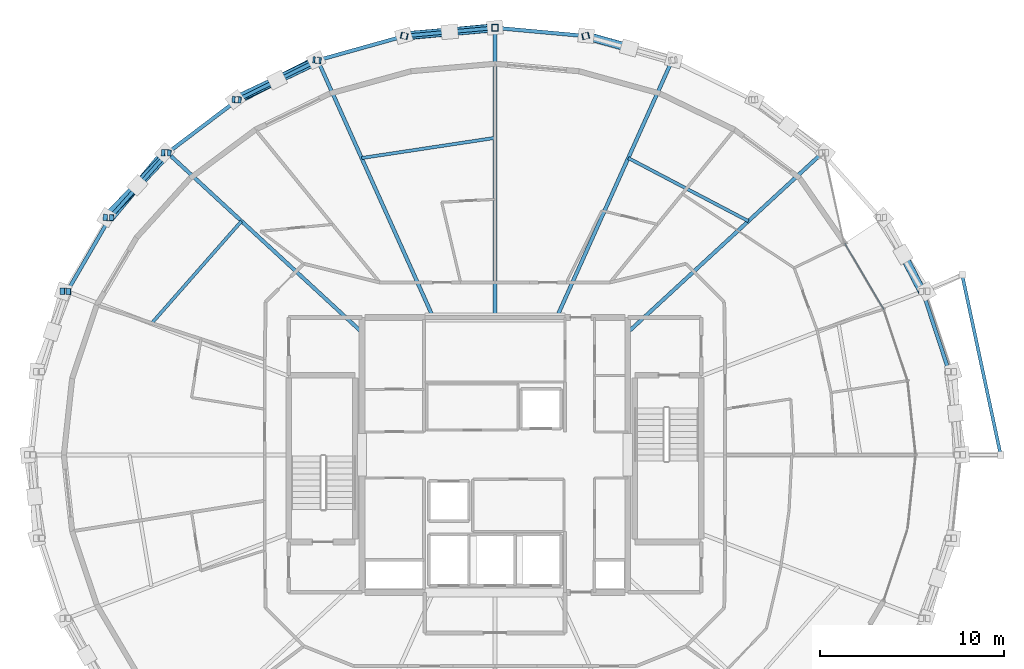
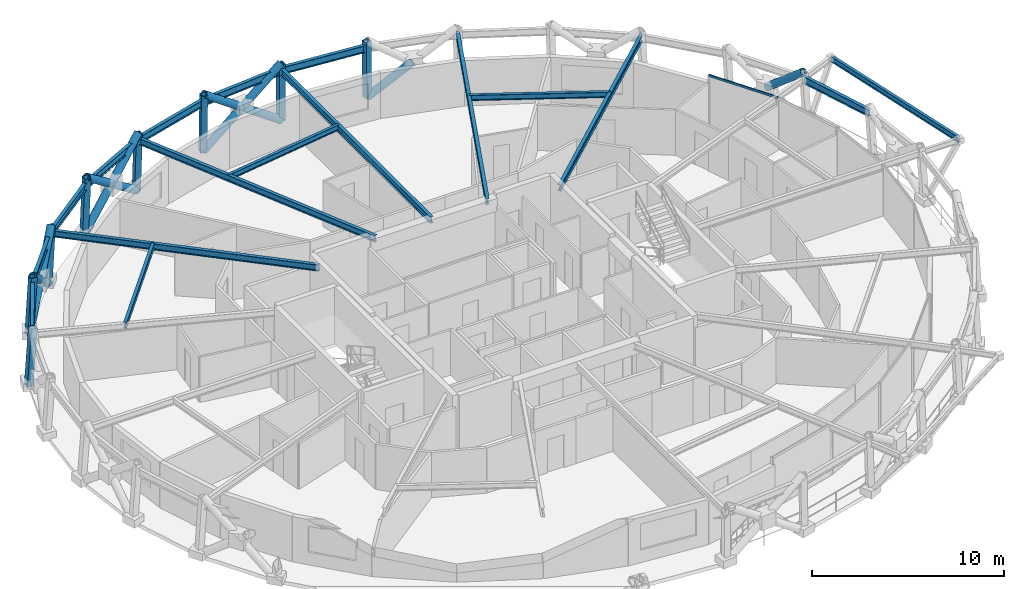
# One storey, part 10 of 18: 20 members, 17 beams, 1 element without a shape of its own.
"""IFC4 building model written with IfcOpenShell, lengths in metres."""

from ifc_helpers import new_model, si_unit, direction, frame, origin, origin_2d, place, context, subcontext, project, spatial, hollow_rectangle, hollow_circle, i_section, extrude, material, layer, layer_set, material_profile, profile_set, type_object, element, aggregate, save


model = new_model("IFC4")

# Units and contexts
model_context = context("Model", 3, precision=1e-05, world=origin(), true_north=direction((0.0, 1.0)))
body_context = subcontext(model_context, "Body", "Model", "MODEL_VIEW")
ifc_project = project(units=[si_unit("LENGTHUNIT", "METRE"), si_unit("AREAUNIT", "SQUARE_METRE"), si_unit("VOLUMEUNIT", "CUBIC_METRE"), si_unit("PLANEANGLEUNIT", "RADIAN"), si_unit("MASSUNIT", "GRAM", prefix="KILO")], contexts=[model_context])

# Site, building, storey
site_placement = place(None, origin())
site = spatial("IfcSite", under=ifc_project, at=site_placement, CompositionType="ELEMENT")
building_placement = place(site_placement, origin())
building = spatial("IfcBuilding", under=site, at=building_placement, Name="Veldorina Hangang Commons", CompositionType="ELEMENT")
storey_placement = place(building_placement, frame((0.0, 0.0, 218.39990234375)))
storey = spatial("IfcBuildingStorey", under=building, at=storey_placement, Name="L56", CompositionType="ELEMENT", Elevation=218.39990234375)

# Beams
ifc_material_1 = material(Name="Steel SM355-TMC", Category="steel")
ifc_material_profile_1 = material_profile(ifc_material_1, i_section(OverallWidth=0.175048828125, OverallDepth=0.35009765625, WebThickness=0.007080078125, FlangeThickness=0.010986328125, FilletRadius=0.012939453125, at=origin_2d()), Name="H-350x175x7x11")
ifc_profile_set_1 = profile_set([ifc_material_profile_1], Name="Steel SM355-TMC")
beam_type_1 = type_object("IfcBeamType", Name="BM-FG350", PredefinedType="BEAM", material=ifc_profile_set_1)
beam_1_placement = place(storey_placement, frame((59.41552734375, 24.0, 3.18505859375), z_axis=(-0.20909639902, 0.977895033179, 0.0), x_axis=(-0.977895033179, -0.20909639902, 0.0)))
element("IfcBeam", 1, at=beam_1_placement, inside=storey, type_object=beam_type_1, Name="L57 tree balcony 2 outer rim beam", PredefinedType="BEAM", context=body_context, shape_type="SweptSolid", body=[
    extrude(i_section(OverallWidth=0.175048828125, OverallDepth=0.35009765625, WebThickness=0.007080078125, FlangeThickness=0.010986328125, FilletRadius=0.012939453125, at=origin_2d()), origin(), (0.0, 0.0, 1.0), 9.980712890625),
])
ifc_material_profile_2 = material_profile(ifc_material_1, i_section(OverallWidth=0.199951171875, OverallDepth=0.39990234375, WebThickness=0.008056640625, FlangeThickness=0.012939453125, FilletRadius=0.012939453125, at=origin_2d()), Name="H-400x200x8x13")
ifc_profile_set_2 = profile_set([ifc_material_profile_2], Name="Steel SM355-TMC")
beam_type_2 = type_object("IfcBeamType", Name="BM-FG400", PredefinedType="BEAM", material=ifc_profile_set_2)
beam_2_placement = place(storey_placement, frame((39.199951171875, 30.642578125, 3.16015625), z_axis=(0.734994512793, 0.678073053707, 0.0), x_axis=(-0.678073053707, 0.734994512793, 0.0)))
element("IfcBeam", 2, at=beam_2_placement, inside=storey, type_object=beam_type_2, Name="L56 radial floor girder 03", PredefinedType="BEAM", context=body_context, shape_type="SweptSolid", body=[
    extrude(i_section(OverallWidth=0.199951171875, OverallDepth=0.39990234375, WebThickness=0.008056640625, FlangeThickness=0.012939453125, FilletRadius=0.012939453125, at=origin_2d()), origin(), (0.0, 0.0, 1.0), 14.351318359375),
])
beam_3_placement = place(storey_placement, frame((35.344970703125, 31.449951171875, 3.16015625), z_axis=(0.409588775046, 0.912270264426, 0.0), x_axis=(-0.912270264426, 0.409588775046, 0.0)))
element("IfcBeam", 3, at=beam_3_placement, inside=storey, type_object=beam_type_2, Name="L56 radial floor girder 04", PredefinedType="BEAM", context=body_context, shape_type="SweptSolid", body=[
    extrude(i_section(OverallWidth=0.199951171875, OverallDepth=0.39990234375, WebThickness=0.008056640625, FlangeThickness=0.012939453125, FilletRadius=0.012939453125, at=origin_2d()), origin(), (0.0, 0.0, 1.0), 15.2841796875),
])
beam_4_placement = place(storey_placement, frame((32.0, 31.449951171875, 3.16015625), z_axis=(0.0, 1.0, 0.0), x_axis=(-1.0, 0.0, 0.0)))
element("IfcBeam", 4, at=beam_4_placement, inside=storey, type_object=beam_type_2, Name="L56 radial floor girder 05", PredefinedType="BEAM", context=body_context, shape_type="SweptSolid", body=[
    extrude(i_section(OverallWidth=0.199951171875, OverallDepth=0.39990234375, WebThickness=0.008056640625, FlangeThickness=0.012939453125, FilletRadius=0.012939453125, at=origin_2d()), origin(), (0.0, 0.0, 1.0), 15.7060546875),
])
beam_5_placement = place(storey_placement, frame((28.655029296875, 31.449951171875, 3.16015625), z_axis=(-0.409588775046, 0.912270264426, 0.0), x_axis=(-0.912270264426, -0.409588775046, 0.0)))
element("IfcBeam", 5, at=beam_5_placement, inside=storey, type_object=beam_type_2, Name="L56 radial floor girder 06", PredefinedType="BEAM", context=body_context, shape_type="SweptSolid", body=[
    extrude(i_section(OverallWidth=0.199951171875, OverallDepth=0.39990234375, WebThickness=0.008056640625, FlangeThickness=0.012939453125, FilletRadius=0.012939453125, at=origin_2d()), origin(), (0.0, 0.0, 1.0), 15.2841796875),
])
beam_6_placement = place(storey_placement, frame((24.800048828125, 30.642578125, 3.16015625), z_axis=(-0.734994512793, 0.678073053707, 0.0), x_axis=(-0.678073053707, -0.734994512793, 0.0)))
element("IfcBeam", 6, at=beam_6_placement, inside=storey, type_object=beam_type_2, Name="L56 radial floor girder 07", PredefinedType="BEAM", context=body_context, shape_type="SweptSolid", body=[
    extrude(i_section(OverallWidth=0.199951171875, OverallDepth=0.39990234375, WebThickness=0.008056640625, FlangeThickness=0.012939453125, FilletRadius=0.012939453125, at=origin_2d()), origin(), (0.0, 0.0, 1.0), 14.351318359375),
])
ifc_material_profile_3 = material_profile(ifc_material_1, i_section(OverallWidth=0.175048828125, OverallDepth=0.35009765625, WebThickness=0.007080078125, FlangeThickness=0.010986328125, FilletRadius=0.012939453125, at=origin_2d()), Name="H-350x175x7x11")
ifc_profile_set_3 = profile_set([ifc_material_profile_3], Name="Steel SM355-TMC")
beam_type_3 = type_object("IfcBeamType", Name="BM-JST350", PredefinedType="JOIST", material=ifc_profile_set_3)
beam_7_placement = place(storey_placement, frame((45.73974609375, 36.67578125, 3.18505859375), z_axis=(-0.885418048855, 0.464795523603, 0.0), x_axis=(-0.464795523603, -0.885418048855, 0.0)))
element("IfcBeam", 7, at=beam_7_placement, inside=storey, type_object=beam_type_3, Name="L56 secondary floor joist 03", PredefinedType="JOIST", context=body_context, shape_type="SweptSolid", body=[
    extrude(i_section(OverallWidth=0.175048828125, OverallDepth=0.35009765625, WebThickness=0.007080078125, FlangeThickness=0.010986328125, FilletRadius=0.012939453125, at=origin_2d()), origin(), (0.0, 0.0, 1.0), 7.3564453125),
])
beam_8_placement = place(storey_placement, frame((32.0, 41.187744140625, 3.18505859375), z_axis=(-0.988758494283, -0.149521369655, 0.0), x_axis=(0.149521369655, -0.988758494283, 0.0)))
element("IfcBeam", 8, at=beam_8_placement, inside=storey, type_object=beam_type_3, Name="L56 secondary floor joist 05", PredefinedType="JOIST", context=body_context, shape_type="SweptSolid", body=[
    extrude(i_section(OverallWidth=0.175048828125, OverallDepth=0.35009765625, WebThickness=0.007080078125, FlangeThickness=0.010986328125, FilletRadius=0.012939453125, at=origin_2d()), origin(), (0.0, 0.0, 1.0), 7.30859375),
])
beam_9_placement = place(storey_placement, frame((18.26025390625, 36.67578125, 3.18505859375), z_axis=(-0.66020090792, -0.751089050101, 0.0), x_axis=(0.751089050101, -0.66020090792, 0.0)))
element("IfcBeam", 9, at=beam_9_placement, inside=storey, type_object=beam_type_3, Name="L56 secondary floor joist 07", PredefinedType="JOIST", context=body_context, shape_type="SweptSolid", body=[
    extrude(i_section(OverallWidth=0.175048828125, OverallDepth=0.35009765625, WebThickness=0.007080078125, FlangeThickness=0.010986328125, FilletRadius=0.012939453125, at=origin_2d()), origin(), (0.0, 0.0, 1.0), 7.400390625),
])
ifc_material_profile_4 = material_profile(ifc_material_1, i_section(OverallWidth=0.199951171875, OverallDepth=0.449951171875, WebThickness=0.009033203125, FlangeThickness=0.013916015625, FilletRadius=0.01611328125, at=origin_2d()), Name="H-450x200x9x14")
ifc_profile_set_4 = profile_set([ifc_material_profile_4], Name="Steel SM355-TMC")
beam_type_4 = type_object("IfcBeamType", Name="BM-RB450", PredefinedType="BEAM", material=ifc_profile_set_4)
beam_10_placement = place(storey_placement, frame((56.6171875, 28.517578125, 3.135009765625), z_axis=(-0.312348797553, 0.949967488216, 0.0), x_axis=(-0.949967488216, -0.312348797553, 0.0)))
element("IfcBeam", 10, at=beam_10_placement, inside=storey, type_object=beam_type_4, Name="L56 perimeter hoop ring beam 01", PredefinedType="BEAM", context=body_context, shape_type="SweptSolid", body=[
    extrude(i_section(OverallWidth=0.199951171875, OverallDepth=0.449951171875, WebThickness=0.009033203125, FlangeThickness=0.013916015625, FilletRadius=0.01611328125, at=origin_2d()), origin(), (0.0, 0.0, 1.0), 4.572509765625),
])
for number, where, z_axis, x_axis, name in (
    (11, (36.896484375, 46.711181640625, 3.135009765625), (-0.995898902714, 0.090473065454, 0.0), (-0.090473065454, -0.995898902714, 0.0), "L56 perimeter hoop ring beam 07"),
    (12, (32.0, 47.156005859375, 3.135009765625), (-0.995898902714, -0.090473065454, 0.0), (0.090473065454, -0.995898902714, 0.0), "L56 perimeter hoop ring beam 08"),
):
    element("IfcBeam", number, at=place(storey_placement, frame(where, z_axis=z_axis, x_axis=x_axis)), inside=storey, type_object=beam_type_4, Name=name, PredefinedType="BEAM", context=body_context, shape_type="SweptSolid", body=[
        extrude(i_section(OverallWidth=0.199951171875, OverallDepth=0.449951171875, WebThickness=0.009033203125, FlangeThickness=0.013916015625, FilletRadius=0.01611328125, at=origin_2d()), origin(), (0.0, 0.0, 1.0), 4.916748046875),
    ])
beam_11_placement = place(storey_placement, frame((27.103515625, 46.711181640625, 3.135009765625), z_axis=(-0.962994608435, -0.269520656211, 0.0), x_axis=(0.269520656211, -0.962994608435, 0.0)))
element("IfcBeam", 13, at=beam_11_placement, inside=storey, type_object=beam_type_4, Name="L56 perimeter hoop ring beam 09", PredefinedType="BEAM", context=body_context, shape_type="SweptSolid", body=[
    extrude(i_section(OverallWidth=0.199951171875, OverallDepth=0.449951171875, WebThickness=0.009033203125, FlangeThickness=0.013916015625, FilletRadius=0.01611328125, at=origin_2d()), origin(), (0.0, 0.0, 1.0), 4.8896484375),
])
beam_12_placement = place(storey_placement, frame((22.394775390625, 45.393310546875, 3.135009765625), z_axis=(-0.896896095875, -0.442241329146, 0.0), x_axis=(0.442241329146, -0.896896095875, 0.0)))
element("IfcBeam", 14, at=beam_12_placement, inside=storey, type_object=beam_type_4, Name="L56 perimeter hoop ring beam 10", PredefinedType="BEAM", context=body_context, shape_type="SweptSolid", body=[
    extrude(i_section(OverallWidth=0.199951171875, OverallDepth=0.449951171875, WebThickness=0.009033203125, FlangeThickness=0.013916015625, FilletRadius=0.01611328125, at=origin_2d()), origin(), (0.0, 0.0, 1.0), 4.838134765625),
])
beam_13_placement = place(storey_placement, frame((18.055419921875, 43.253662109375, 3.135009765625), z_axis=(-0.79724663066, -0.603653716879, 0.0), x_axis=(0.603653716879, -0.79724663066, 0.0)))
element("IfcBeam", 15, at=beam_13_placement, inside=storey, type_object=beam_type_4, Name="L56 perimeter hoop ring beam 11", PredefinedType="BEAM", context=body_context, shape_type="SweptSolid", body=[
    extrude(i_section(OverallWidth=0.199951171875, OverallDepth=0.449951171875, WebThickness=0.009033203125, FlangeThickness=0.013916015625, FilletRadius=0.01611328125, at=origin_2d()), origin(), (0.0, 0.0, 1.0), 4.770751953125),
])
beam_14_placement = place(storey_placement, frame((14.251953125, 40.373779296875, 3.135009765625), z_axis=(-0.664650971926, -0.747153990498, 0.0), x_axis=(0.747153990498, -0.664650971926, 0.0)))
element("IfcBeam", 16, at=beam_14_placement, inside=storey, type_object=beam_type_4, Name="L56 perimeter hoop ring beam 12", PredefinedType="BEAM", context=body_context, shape_type="SweptSolid", body=[
    extrude(i_section(OverallWidth=0.199951171875, OverallDepth=0.449951171875, WebThickness=0.009033203125, FlangeThickness=0.013916015625, FilletRadius=0.01611328125, at=origin_2d()), origin(), (0.0, 0.0, 1.0), 4.6962890625),
])
beam_15_placement = place(storey_placement, frame((11.130615234375, 36.864990234375, 3.135009765625), z_axis=(-0.501306631992, -0.865269704035, 0.0), x_axis=(0.865269704035, -0.501306631992, 0.0)))
element("IfcBeam", 17, at=beam_15_placement, inside=storey, type_object=beam_type_4, Name="L56 perimeter hoop ring beam 13", PredefinedType="BEAM", context=body_context, shape_type="SweptSolid", body=[
    extrude(i_section(OverallWidth=0.199951171875, OverallDepth=0.449951171875, WebThickness=0.009033203125, FlangeThickness=0.013916015625, FilletRadius=0.01611328125, at=origin_2d()), origin(), (0.0, 0.0, 1.0), 4.626953125),
])

# Curtain wall, member
ifc_material_2 = material(Name="Glass Low-E Selective", Category="glass")
ifc_layer = layer(ifc_material_2, 0.179931640625)
ifc_layer_set = layer_set([ifc_layer], Name="Glass Low-E Selective")
curtain_wall_type = type_object("IfcCurtainWallType", Name="CW-SYS-Z3", PredefinedType="NOTDEFINED", material=ifc_layer_set)
curtain_wall_placement = place(storey_placement, origin())
curtain_wall = element("IfcCurtainWall", 18, at=curtain_wall_placement, inside=storey, type_object=curtain_wall_type, Name="L56 unitised curtain wall CW-L56-R2", PredefinedType="NOTDEFINED")
ifc_material_3 = material(Name="Aluminium Anodized AA6063-T6", Category="aluminium")
ifc_material_profile_5 = material_profile(ifc_material_3, hollow_rectangle(XDim=0.06005859375, YDim=0.139892578125, WallThickness=0.00341796875, at=origin_2d()), Name="ALU-RHS-140x60x3.5")
ifc_profile_set_5 = profile_set([ifc_material_profile_5], Name="Aluminium Anodized AA6063-T6")
member_type_1 = type_object("IfcMemberType", Name="CW-TRN-140", PredefinedType="USERDEFINED", material=ifc_profile_set_5)
member_1_placement = place(storey_placement, frame((53.072509765625, 31.901123046875, 3.280029296875), z_axis=(-0.508481273456, 0.861073048321, 0.0), x_axis=(-0.861073048321, -0.508481273456, 0.0)))
member_1 = element("IfcMember", 19, at=member_1_placement, type_object=member_type_1, Name="CW-L56-R2 facet 5 transom 1", ObjectType="TRANSOM", PredefinedType="USERDEFINED", context=body_context, shape_type="SweptSolid", body=[
    extrude(hollow_rectangle(XDim=0.06005859375, YDim=0.139892578125, WallThickness=0.00341796875, at=origin_2d()), origin(), (0.0, 0.0, 1.0), 4.1455078125),
])
aggregate(curtain_wall, [member_1])

# Members
ifc_material_profile_6 = material_profile(ifc_material_1, hollow_circle(Radius=0.22509765625, WallThickness=0.02197265625, at=origin_2d()), Name="CHS-450x22")
ifc_profile_set_6 = profile_set([ifc_material_profile_6], Name="Steel SM355-TMC")
member_type_2 = type_object("IfcMemberType", Name="DG-CHS450", PredefinedType="BRACE", material=ifc_profile_set_6)
member_2_placement = place(storey_placement, frame((54.118896484375, 34.867919921875, 1.802734375), z_axis=(0.359682287222, -0.695098280032, 0.62246849989), x_axis=(0.888140102066, 0.459572800655, 0.0)))
element("IfcMember", 20, at=member_2_placement, inside=storey, type_object=member_type_2, Name="L56 split perimeter diagrid upper brace 03", PredefinedType="BRACE", context=body_context, shape_type="SweptSolid", body=[
    extrude(hollow_circle(Radius=0.22509765625, WallThickness=0.02197265625, at=origin_2d()), origin(), (0.0, 0.0, 1.0), 2.887451171875),
])
member_3_placement = place(storey_placement, frame((36.94140625, 46.7216796875, 0.0), z_axis=(0.77185154551, -0.218548902842, 0.597060774763), x_axis=(0.272438283591, 0.962173259675, 0.0)))
element("IfcMember", 21, at=member_3_placement, inside=storey, type_object=member_type_2, Name="L56 split perimeter diagrid lower brace 07", PredefinedType="BRACE", context=body_context, shape_type="SweptSolid", body=[
    extrude(hollow_circle(Radius=0.22509765625, WallThickness=0.02197265625, at=origin_2d()), origin(), (0.0, 0.0, 1.0), 3.029541015625),
])
member_4_placement = place(storey_placement, frame((32.0, 47.166748046875, 0.0), z_axis=(-0.803018897645, -0.075053740895, 0.591208580792), x_axis=(0.093058897287, -0.995660605646, 0.0)))
element("IfcMember", 22, at=member_4_placement, inside=storey, type_object=member_type_2, Name="L56 continuous perimeter diagrid brace 08", PredefinedType="BRACE", context=body_context, shape_type="SweptSolid", body=[
    extrude(hollow_circle(Radius=0.22509765625, WallThickness=0.02197265625, at=origin_2d()), origin(), (0.0, 0.0, 1.0), 6.08935546875),
])
member_5_placement = place(storey_placement, frame((27.05859375, 46.7216796875, 0.0), z_axis=(0.806287816389, 0.069905225013, 0.587378256882), x_axis=(-0.086376055942, 0.996262604417, 0.0)))
element("IfcMember", 23, at=member_5_placement, inside=storey, type_object=member_type_2, Name="L56 split perimeter diagrid lower brace 09", PredefinedType="BRACE", context=body_context, shape_type="SweptSolid", body=[
    extrude(hollow_circle(Radius=0.22509765625, WallThickness=0.02197265625, at=origin_2d()), origin(), (0.0, 0.0, 1.0), 3.080322265625),
])
member_6_placement = place(storey_placement, frame((29.542236328125, 46.93701171875, 1.809326171875), z_axis=(0.806158569902, 0.071350679029, 0.58738185261), x_axis=(-0.088162367195, 0.996106117344, 0.0)))
element("IfcMember", 24, at=member_6_placement, inside=storey, type_object=member_type_2, Name="L56 split perimeter diagrid upper brace 09", PredefinedType="BRACE", context=body_context, shape_type="SweptSolid", body=[
    extrude(hollow_circle(Radius=0.22509765625, WallThickness=0.02197265625, at=origin_2d()), origin(), (0.0, 0.0, 1.0), 3.048828125),
])
member_7_placement = place(storey_placement, frame((22.30712890625, 45.4033203125, 0.0), z_axis=(-0.710359915413, -0.361018700739, 0.604197226319), x_axis=(0.453065926565, -0.891477013829, 0.0)))
element("IfcMember", 25, at=member_7_placement, inside=storey, type_object=member_type_2, Name="L56 continuous perimeter diagrid brace 10", PredefinedType="BRACE", context=body_context, shape_type="SweptSolid", body=[
    extrude(hollow_circle(Radius=0.22509765625, WallThickness=0.02197265625, at=origin_2d()), origin(), (0.0, 0.0, 1.0), 5.95849609375),
])
member_8_placement = place(storey_placement, frame((17.927978515625, 43.262451171875, 0.0), z_axis=(0.732239993835, 0.344662850527, 0.587394340196), x_axis=(-0.425877279627, 0.904780936303, 0.0)))
element("IfcMember", 26, at=member_8_placement, inside=storey, type_object=member_type_2, Name="L56 split perimeter diagrid lower brace 11", PredefinedType="BRACE", context=body_context, shape_type="SweptSolid", body=[
    extrude(hollow_circle(Radius=0.22509765625, WallThickness=0.02197265625, at=origin_2d()), origin(), (0.0, 0.0, 1.0), 3.077880859375),
])
member_9_placement = place(storey_placement, frame((20.181640625, 44.3232421875, 1.807861328125), z_axis=(0.729568207488, 0.350301558717, 0.58738322123), x_axis=(-0.432840345381, 0.901470595977, 0.0)))
element("IfcMember", 27, at=member_9_placement, inside=storey, type_object=member_type_2, Name="L56 split perimeter diagrid upper brace 11", PredefinedType="BRACE", context=body_context, shape_type="SweptSolid", body=[
    extrude(hollow_circle(Radius=0.22509765625, WallThickness=0.02197265625, at=origin_2d()), origin(), (0.0, 0.0, 1.0), 3.05126953125),
])
member_10_placement = place(storey_placement, frame((14.08984375, 40.38134765625, 0.0), z_axis=(-0.503251284712, -0.603893158325, 0.618102902246), x_axis=(0.768216908885, -0.640189644483, 0.0)))
element("IfcMember", 28, at=member_10_placement, inside=storey, type_object=member_type_2, Name="L56 continuous perimeter diagrid brace 12", PredefinedType="BRACE", context=body_context, shape_type="SweptSolid", body=[
    extrude(hollow_circle(Radius=0.22509765625, WallThickness=0.02197265625, at=origin_2d()), origin(), (0.0, 0.0, 1.0), 5.824462890625),
])
member_11_placement = place(storey_placement, frame((10.93994140625, 36.87060546875, 0.0), z_axis=(0.556052320803, 0.578265334781, 0.597005041118), x_axis=(-0.720815651535, 0.693126825698, 0.0)))
element("IfcMember", 29, at=member_11_placement, inside=storey, type_object=member_type_2, Name="L56 split perimeter diagrid lower brace 13", PredefinedType="BRACE", context=body_context, shape_type="SweptSolid", body=[
    extrude(hollow_circle(Radius=0.22509765625, WallThickness=0.02197265625, at=origin_2d()), origin(), (0.0, 0.0, 1.0), 3.0224609375),
])
member_12_placement = place(storey_placement, frame((12.62060546875, 38.618408203125, 1.804443359375), z_axis=(0.550468635904, 0.583431802006, 0.597152922872), x_axis=(-0.727355520509, 0.686260844566, 0.0)))
element("IfcMember", 30, at=member_12_placement, inside=storey, type_object=member_type_2, Name="L56 split perimeter diagrid upper brace 13", PredefinedType="BRACE", context=body_context, shape_type="SweptSolid", body=[
    extrude(hollow_circle(Radius=0.22509765625, WallThickness=0.02197265625, at=origin_2d()), origin(), (0.0, 0.0, 1.0), 3.007080078125),
])
ifc_material_profile_7 = material_profile(ifc_material_1, hollow_rectangle(XDim=0.35009765625, YDim=0.35009765625, WallThickness=0.01611328125, at=origin_2d()), Name="SHS-350x350x16")
ifc_profile_set_7 = profile_set([ifc_material_profile_7], Name="Steel SM355-TMC")
member_type_3 = type_object("IfcMemberType", Name="STR-SHS350", PredefinedType="STRUT", material=ifc_profile_set_7)
member_13_placement = place(storey_placement, frame((36.94140625, 46.7216796875, 0.0), z_axis=(-0.014307421539, -0.003322576566, 0.999892123268), x_axis=(0.22620792836, -0.97407903845, 0.0)))
element("IfcMember", 31, at=member_13_placement, inside=storey, type_object=member_type_3, Name="L56 perimeter ring node post 07", PredefinedType="STRUT", context=body_context, shape_type="SweptSolid", body=[
    extrude(hollow_rectangle(XDim=0.35009765625, YDim=0.35009765625, WallThickness=0.01611328125, at=origin_2d()), origin(), (0.0, 0.0, 1.0), 3.6005859375),
])
member_14_placement = place(storey_placement, frame((32.0, 47.166748046875, 0.0), z_axis=(0.0, -0.003390730542, 0.999994251457), x_axis=(1.0, 0.0, 0.0)))
element("IfcMember", 32, at=member_14_placement, inside=storey, type_object=member_type_3, Name="L56 perimeter ring node post 08", PredefinedType="STRUT", context=body_context, shape_type="SweptSolid", body=[
    extrude(hollow_rectangle(XDim=0.35009765625, YDim=0.35009765625, WallThickness=0.01611328125, at=origin_2d()), origin(), (0.0, 0.0, 1.0), 3.60009765625),
])
member_15_placement = place(storey_placement, frame((27.05859375, 46.7216796875, 0.0), z_axis=(0.014307421539, -0.003322576566, 0.999892123268), x_axis=(0.22620792836, 0.97407903845, 0.0)))
element("IfcMember", 33, at=member_15_placement, inside=storey, type_object=member_type_3, Name="L56 perimeter ring node post 09", PredefinedType="STRUT", context=body_context, shape_type="SweptSolid", body=[
    extrude(hollow_rectangle(XDim=0.35009765625, YDim=0.35009765625, WallThickness=0.01611328125, at=origin_2d()), origin(), (0.0, 0.0, 1.0), 3.6005859375),
])
member_16_placement = place(storey_placement, frame((22.30712890625, 45.4033203125, 0.0), z_axis=(0.027928745542, -0.003118257997, 0.999605052828), x_axis=(0.110961016846, 0.993824759573, 0.0)))
element("IfcMember", 34, at=member_16_placement, inside=storey, type_object=member_type_3, Name="L56 perimeter ring node post 10", PredefinedType="STRUT", context=body_context, shape_type="SweptSolid", body=[
    extrude(hollow_rectangle(XDim=0.35009765625, YDim=0.35009765625, WallThickness=0.01611328125, at=origin_2d()), origin(), (0.0, 0.0, 1.0), 3.6015625),
])
member_17_placement = place(storey_placement, frame((17.927978515625, 43.262451171875, 0.0), z_axis=(0.040655195292, -0.00284586367, 0.999169182949), x_axis=(0.0698291277, 0.997558967142, 0.0)))
element("IfcMember", 35, at=member_17_placement, inside=storey, type_object=member_type_3, Name="L56 perimeter ring node post 11", PredefinedType="STRUT", context=body_context, shape_type="SweptSolid", body=[
    extrude(hollow_rectangle(XDim=0.35009765625, YDim=0.35009765625, WallThickness=0.01611328125, at=origin_2d()), origin(), (0.0, 0.0, 1.0), 3.60302734375),
])
member_18_placement = place(storey_placement, frame((14.08984375, 40.38134765625, 0.0), z_axis=(0.051606029266, -0.002370355675, 0.998664708076), x_axis=(0.045883383338, 0.998946802955, 0.0)))
element("IfcMember", 36, at=member_18_placement, inside=storey, type_object=member_type_3, Name="L56 perimeter ring node post 12", PredefinedType="STRUT", context=body_context, shape_type="SweptSolid", body=[
    extrude(hollow_rectangle(XDim=0.35009765625, YDim=0.35009765625, WallThickness=0.01611328125, at=origin_2d()), origin(), (0.0, 0.0, 1.0), 3.60498046875),
])
member_19_placement = place(storey_placement, frame((10.93994140625, 36.87060546875, 0.0), z_axis=(0.060650280349, -0.001827631216, 0.998157404049), x_axis=(0.03012025627, 0.999546282151, 0.0)))
element("IfcMember", 37, at=member_19_placement, inside=storey, type_object=member_type_3, Name="L56 perimeter ring node post 13", PredefinedType="STRUT", context=body_context, shape_type="SweptSolid", body=[
    extrude(hollow_rectangle(XDim=0.35009765625, YDim=0.35009765625, WallThickness=0.01611328125, at=origin_2d()), origin(), (0.0, 0.0, 1.0), 3.606689453125),
])
member_20_placement = place(storey_placement, frame((8.599365234375, 32.865478515625, 0.0), z_axis=(0.067390137599, -0.001285554834, 0.997725872524), x_axis=(0.019072835182, 0.999818096935, 0.0)))
element("IfcMember", 38, at=member_20_placement, inside=storey, type_object=member_type_3, Name="L56 perimeter ring node post 14", PredefinedType="STRUT", context=body_context, shape_type="SweptSolid", body=[
    extrude(hollow_rectangle(XDim=0.35009765625, YDim=0.35009765625, WallThickness=0.01611328125, at=origin_2d()), origin(), (0.0, 0.0, 1.0), 3.6083984375),
])

save(model, "model.ifc")
